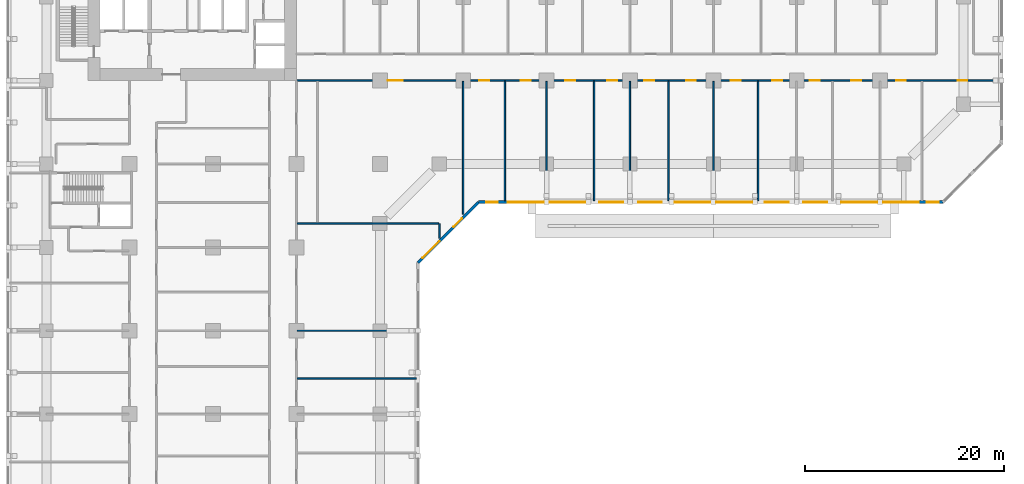
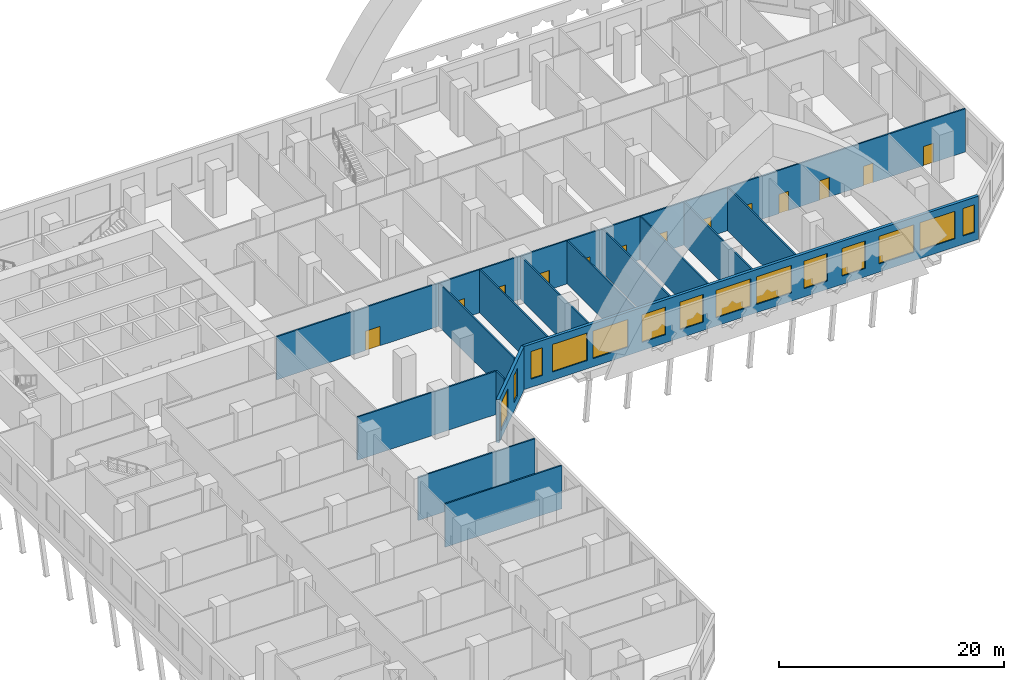
# One storey, part 9 of 25: 15 walls, 14 windows, 13 doors, 27 openings.
"""IFC4 building model written with IfcOpenShell, lengths in metres."""

from ifc_helpers import new_model, si_unit, direction, frame, frame_2d, origin, place, context, subcontext, project, spatial, rectangle, extrude, material, layer, layer_set, type_object, element, fill, save


model = new_model("IFC4")

# Units and contexts
model_context = context("Model", 3, precision=1e-05, world=origin(), true_north=direction((0.0, 1.0)))
body_context = subcontext(model_context, "Body", "Model", "MODEL_VIEW")
ifc_project = project(units=[si_unit("LENGTHUNIT", "METRE"), si_unit("AREAUNIT", "SQUARE_METRE"), si_unit("VOLUMEUNIT", "CUBIC_METRE"), si_unit("PLANEANGLEUNIT", "RADIAN"), si_unit("MASSUNIT", "GRAM", prefix="KILO")], contexts=[model_context])

# Site, building, storey
site_placement = place(None, origin())
site = spatial("IfcSite", under=ifc_project, at=site_placement, CompositionType="ELEMENT")
building_placement = place(site_placement, origin())
building = spatial("IfcBuilding", under=site, at=building_placement, Name="Kawkab Arch Medical Tower", CompositionType="ELEMENT")
storey_placement = place(building_placement, frame((0.0, 0.0, 29.0)))
storey = spatial("IfcBuildingStorey", under=building, at=storey_placement, Name="L06", CompositionType="ELEMENT", Elevation=29.0)

# Walls
ifc_material_1 = material(Name="Gypsum board partition on steel studs, mineral wool", Category="steel")
ifc_layer_1 = layer(ifc_material_1, 0.14990234375)
ifc_layer_set_1 = layer_set([ifc_layer_1], Name="Gypsum board partition on steel studs, mineral wool")
wall_type_1 = type_object("IfcWallType", Name="Partition 150", PredefinedType="PARTITIONING", material=ifc_layer_set_1)
for number, where, z_axis, x_axis, name in (
    (1, (25.27490234375, -55.199951171875, 0.0), (0.0, 0.0, 1.0), (1.0, 0.0, 0.0), "Partition 150 w023"),
    (2, (25.27490234375, -50.39990234375, 0.0), (0.0, 0.0, 1.0), (1.0, 0.0, 0.0), "Partition 150 w029"),
):
    element("IfcWall", number, at=place(storey_placement, frame(where, z_axis=z_axis, x_axis=x_axis)), inside=storey, type_object=wall_type_1, Name=name, PredefinedType="PARTITIONING", context=body_context, shape_type="SweptSolid", body=[
        extrude(rectangle(XDim=12.005126953125, YDim=0.14990234375, at=frame_2d((6.00244140625, 0.0))), origin(), (0.0, 0.0, 1.0), 4.699951171875),
    ])
wall_1_placement = place(storey_placement, frame((25.27490234375, -39.60009765625, 0.0), z_axis=(0.0, 0.0, 1.0), x_axis=(1.0, 0.0, 0.0)))
element("IfcWall", 3, at=wall_1_placement, inside=storey, type_object=wall_type_1, Name="Partition 150 w034", PredefinedType="PARTITIONING", context=body_context, shape_type="SweptSolid", body=[
    extrude(rectangle(XDim=14.248046875, YDim=0.14990234375, at=frame_2d((7.1240234375, 0.0))), origin(), (0.0, 0.0, 1.0), 4.699951171875),
])

# Wall, openings, doors
wall_2_placement = place(storey_placement, frame((25.27490234375, -25.199951171875, 0.0), z_axis=(0.0, 0.0, 1.0), x_axis=(1.0, 0.0, 0.0)))
wall_2 = element("IfcWall", 4, at=wall_2_placement, inside=storey, type_object=wall_type_1, Name="Partition 150 w043", PredefinedType="PARTITIONING", context=body_context, shape_type="SweptSolid", body=[
    extrude(rectangle(XDim=70.80517578125, YDim=0.14990234375, at=frame_2d((35.402587890625, 0.0))), origin(), (0.0, 0.0, 1.0), 4.699951171875),
])
opening_1_placement = place(wall_2_placement, frame((18.324951171875, 0.0, 0.0)))
opening_1 = element("IfcOpeningElement", 5, at=opening_1_placement, cuts=wall_2, Name="Opening P06-033", PredefinedType="OPENING", context=body_context, shape_type="SweptSolid", body=[
    extrude(rectangle(XDim=1.0, YDim=2.10009765625, at=frame_2d((0.5, 1.050048828125))), frame((0.0, 0.0849609375, 0.0), z_axis=(0.0, -1.0, 0.0), x_axis=(1.0, 0.0, 0.0)), (0.0, 0.0, 1.0), 0.169921875),
])
opening_2_placement = place(wall_2_placement, frame((22.52490234375, 0.0, 0.0)))
opening_2 = element("IfcOpeningElement", 6, at=opening_2_placement, cuts=wall_2, Name="Opening P06-034", PredefinedType="OPENING", context=body_context, shape_type="SweptSolid", body=[
    extrude(rectangle(XDim=1.0, YDim=2.10009765625, at=frame_2d((0.5, 1.050048828125))), frame((0.0, 0.0849609375, 0.0), z_axis=(0.0, -1.0, 0.0), x_axis=(1.0, 0.0, 0.0)), (0.0, 0.0, 1.0), 0.169921875),
])
opening_3_placement = place(wall_2_placement, frame((27.02490234375, 0.0, 0.0)))
opening_3 = element("IfcOpeningElement", 7, at=opening_3_placement, cuts=wall_2, Name="Opening P06-035", PredefinedType="OPENING", context=body_context, shape_type="SweptSolid", body=[
    extrude(rectangle(XDim=1.0, YDim=2.10009765625, at=frame_2d((0.5, 1.050048828125))), frame((0.0, 0.0849609375, 0.0), z_axis=(0.0, -1.0, 0.0), x_axis=(1.0, 0.0, 0.0)), (0.0, 0.0, 1.0), 0.169921875),
])
opening_4_placement = place(wall_2_placement, frame((31.22509765625, 0.0, 0.0)))
opening_4 = element("IfcOpeningElement", 8, at=opening_4_placement, cuts=wall_2, Name="Opening P06-036", PredefinedType="OPENING", context=body_context, shape_type="SweptSolid", body=[
    extrude(rectangle(XDim=1.0, YDim=2.10009765625, at=frame_2d((0.5, 1.050048828125))), frame((0.0, 0.0849609375, 0.0), z_axis=(0.0, -1.0, 0.0), x_axis=(1.0, 0.0, 0.0)), (0.0, 0.0, 1.0), 0.169921875),
])
opening_5_placement = place(wall_2_placement, frame((34.97509765625, 0.0, 0.0)))
opening_5 = element("IfcOpeningElement", 9, at=opening_5_placement, cuts=wall_2, Name="Opening P06-037", PredefinedType="OPENING", context=body_context, shape_type="SweptSolid", body=[
    extrude(rectangle(XDim=1.0, YDim=2.10009765625, at=frame_2d((0.5, 1.050048828125))), frame((0.0, 0.0849609375, 0.0), z_axis=(0.0, -1.0, 0.0), x_axis=(1.0, 0.0, 0.0)), (0.0, 0.0, 1.0), 0.169921875),
])
opening_6_placement = place(wall_2_placement, frame((39.175048828125, 0.0, 0.0)))
opening_6 = element("IfcOpeningElement", 10, at=opening_6_placement, cuts=wall_2, Name="Opening P06-038", PredefinedType="OPENING", context=body_context, shape_type="SweptSolid", body=[
    extrude(rectangle(XDim=1.0, YDim=2.10009765625, at=frame_2d((0.5, 1.050048828125))), frame((0.0, 0.0849609375, 0.0), z_axis=(0.0, -1.0, 0.0), x_axis=(1.0, 0.0, 0.0)), (0.0, 0.0, 1.0), 0.169921875),
])
opening_7_placement = place(wall_2_placement, frame((43.675048828125, 0.0, 0.0)))
opening_7 = element("IfcOpeningElement", 11, at=opening_7_placement, cuts=wall_2, Name="Opening P06-039", PredefinedType="OPENING", context=body_context, shape_type="SweptSolid", body=[
    extrude(rectangle(XDim=1.0, YDim=2.10009765625, at=frame_2d((0.5, 1.050048828125))), frame((0.0, 0.0849609375, 0.0), z_axis=(0.0, -1.0, 0.0), x_axis=(1.0, 0.0, 0.0)), (0.0, 0.0, 1.0), 0.169921875),
])
opening_8_placement = place(wall_2_placement, frame((47.875, 0.0, 0.0)))
opening_8 = element("IfcOpeningElement", 12, at=opening_8_placement, cuts=wall_2, Name="Opening P06-040", PredefinedType="OPENING", context=body_context, shape_type="SweptSolid", body=[
    extrude(rectangle(XDim=1.0, YDim=2.10009765625, at=frame_2d((0.5, 1.050048828125))), frame((0.0, 0.0849609375, 0.0), z_axis=(0.0, -1.0, 0.0), x_axis=(1.0, 0.0, 0.0)), (0.0, 0.0, 1.0), 0.169921875),
])
opening_9_placement = place(wall_2_placement, frame((51.625, 0.0, 0.0)))
opening_9 = element("IfcOpeningElement", 13, at=opening_9_placement, cuts=wall_2, Name="Opening P06-041", PredefinedType="OPENING", context=body_context, shape_type="SweptSolid", body=[
    extrude(rectangle(XDim=1.0, YDim=2.10009765625, at=frame_2d((0.5, 1.050048828125))), frame((0.0, 0.0849609375, 0.0), z_axis=(0.0, -1.0, 0.0), x_axis=(1.0, 0.0, 0.0)), (0.0, 0.0, 1.0), 0.169921875),
])
opening_10_placement = place(wall_2_placement, frame((55.824951171875, 0.0, 0.0)))
opening_10 = element("IfcOpeningElement", 14, at=opening_10_placement, cuts=wall_2, Name="Opening P06-042", PredefinedType="OPENING", context=body_context, shape_type="SweptSolid", body=[
    extrude(rectangle(XDim=1.0, YDim=2.10009765625, at=frame_2d((0.5, 1.050048828125))), frame((0.0, 0.0849609375, 0.0), z_axis=(0.0, -1.0, 0.0), x_axis=(1.0, 0.0, 0.0)), (0.0, 0.0, 1.0), 0.169921875),
])
opening_11_placement = place(wall_2_placement, frame((60.324951171875, 0.0, 0.0)))
opening_11 = element("IfcOpeningElement", 15, at=opening_11_placement, cuts=wall_2, Name="Opening P06-043", PredefinedType="OPENING", context=body_context, shape_type="SweptSolid", body=[
    extrude(rectangle(XDim=1.0, YDim=2.10009765625, at=frame_2d((0.5, 1.050048828125))), frame((0.0, 0.0849609375, 0.0), z_axis=(0.0, -1.0, 0.0), x_axis=(1.0, 0.0, 0.0)), (0.0, 0.0, 1.0), 0.169921875),
])
opening_12_placement = place(wall_2_placement, frame((66.52490234375, 0.0, 0.0)))
opening_12 = element("IfcOpeningElement", 16, at=opening_12_placement, cuts=wall_2, Name="Opening P06-044", PredefinedType="OPENING", context=body_context, shape_type="SweptSolid", body=[
    extrude(rectangle(XDim=1.0, YDim=2.10009765625, at=frame_2d((0.5, 1.050048828125))), frame((0.0, 0.0849609375, 0.0), z_axis=(0.0, -1.0, 0.0), x_axis=(1.0, 0.0, 0.0)), (0.0, 0.0, 1.0), 0.169921875),
])
opening_13_placement = place(wall_2_placement, frame((9.125, 0.0, 0.0)))
opening_13 = element("IfcOpeningElement", 17, at=opening_13_placement, cuts=wall_2, Name="Opening P06-016", PredefinedType="OPENING", context=body_context, shape_type="SweptSolid", body=[
    extrude(rectangle(XDim=1.5, YDim=2.10009765625, at=frame_2d((0.75, 1.050048828125))), frame((0.0, 0.0849609375, 0.0), z_axis=(0.0, -1.0, 0.0), x_axis=(1.0, 0.0, 0.0)), (0.0, 0.0, 1.0), 0.169921875),
])
ifc_material_2 = material(Name="Hollow metal door leaf")
door_type_1 = type_object("IfcDoorType", Name="Double door 1500x2100 FD30S", OperationType="NOTDEFINED", PredefinedType="DOOR", material=ifc_material_2)
door_1_placement = place(opening_13_placement, origin())
door_1 = element("IfcDoor", 18, at=door_1_placement, inside=storey, type_object=door_type_1, Name="Door P06-016", OperationType="DOUBLE_DOOR_SINGLE_SWING", OverallHeight=2.10009765625, OverallWidth=1.5, PredefinedType="DOOR", context=body_context, shape_type="SweptSolid", body=[
    extrude(rectangle(XDim=1.5, YDim=2.10009765625, at=frame_2d((0.75, 1.050048828125))), frame((0.0, 0.02490234375, 0.0), z_axis=(0.0, -1.0, 0.0), x_axis=(1.0, 0.0, 0.0)), (0.0, 0.0, 1.0), 0.050048828125),
])
fill(opening_13, door_1)
ifc_material_3 = material(Name="Hollow metal door leaf")
door_type_2 = type_object("IfcDoorType", Name="Single door 1000x2100 FD30S", OperationType="NOTDEFINED", PredefinedType="DOOR", material=ifc_material_3)
door_2_placement = place(opening_1_placement, origin())
door_2 = element("IfcDoor", 19, at=door_2_placement, inside=storey, type_object=door_type_2, Name="Door P06-033", OperationType="SINGLE_SWING_RIGHT", OverallHeight=2.10009765625, OverallWidth=1.0, PredefinedType="DOOR", context=body_context, shape_type="SweptSolid", body=[
    extrude(rectangle(XDim=1.0, YDim=2.10009765625, at=frame_2d((0.5, 1.050048828125))), frame((0.0, 0.02490234375, 0.0), z_axis=(0.0, -1.0, 0.0), x_axis=(1.0, 0.0, 0.0)), (0.0, 0.0, 1.0), 0.050048828125),
])
fill(opening_1, door_2)
door_3_placement = place(opening_2_placement, origin())
door_3 = element("IfcDoor", 20, at=door_3_placement, inside=storey, type_object=door_type_2, Name="Door P06-034", OperationType="SINGLE_SWING_RIGHT", OverallHeight=2.10009765625, OverallWidth=1.0, PredefinedType="DOOR", context=body_context, shape_type="SweptSolid", body=[
    extrude(rectangle(XDim=1.0, YDim=2.10009765625, at=frame_2d((0.5, 1.050048828125))), frame((0.0, 0.02490234375, 0.0), z_axis=(0.0, -1.0, 0.0), x_axis=(1.0, 0.0, 0.0)), (0.0, 0.0, 1.0), 0.050048828125),
])
fill(opening_2, door_3)
door_4_placement = place(opening_3_placement, origin())
door_4 = element("IfcDoor", 21, at=door_4_placement, inside=storey, type_object=door_type_2, Name="Door P06-035", OperationType="SINGLE_SWING_RIGHT", OverallHeight=2.10009765625, OverallWidth=1.0, PredefinedType="DOOR", context=body_context, shape_type="SweptSolid", body=[
    extrude(rectangle(XDim=1.0, YDim=2.10009765625, at=frame_2d((0.5, 1.050048828125))), frame((0.0, 0.02490234375, 0.0), z_axis=(0.0, -1.0, 0.0), x_axis=(1.0, 0.0, 0.0)), (0.0, 0.0, 1.0), 0.050048828125),
])
fill(opening_3, door_4)
door_5_placement = place(opening_4_placement, origin())
door_5 = element("IfcDoor", 22, at=door_5_placement, inside=storey, type_object=door_type_2, Name="Door P06-036", OperationType="SINGLE_SWING_RIGHT", OverallHeight=2.10009765625, OverallWidth=1.0, PredefinedType="DOOR", context=body_context, shape_type="SweptSolid", body=[
    extrude(rectangle(XDim=1.0, YDim=2.10009765625, at=frame_2d((0.5, 1.050048828125))), frame((0.0, 0.02490234375, 0.0), z_axis=(0.0, -1.0, 0.0), x_axis=(1.0, 0.0, 0.0)), (0.0, 0.0, 1.0), 0.050048828125),
])
fill(opening_4, door_5)
door_6_placement = place(opening_5_placement, origin())
door_6 = element("IfcDoor", 23, at=door_6_placement, inside=storey, type_object=door_type_2, Name="Door P06-037", OperationType="SINGLE_SWING_LEFT", OverallHeight=2.10009765625, OverallWidth=1.0, PredefinedType="DOOR", context=body_context, shape_type="SweptSolid", body=[
    extrude(rectangle(XDim=1.0, YDim=2.10009765625, at=frame_2d((0.5, 1.050048828125))), frame((0.0, 0.02490234375, 0.0), z_axis=(0.0, -1.0, 0.0), x_axis=(1.0, 0.0, 0.0)), (0.0, 0.0, 1.0), 0.050048828125),
])
fill(opening_5, door_6)
door_7_placement = place(opening_6_placement, origin())
door_7 = element("IfcDoor", 24, at=door_7_placement, inside=storey, type_object=door_type_2, Name="Door P06-038", OperationType="SINGLE_SWING_LEFT", OverallHeight=2.10009765625, OverallWidth=1.0, PredefinedType="DOOR", context=body_context, shape_type="SweptSolid", body=[
    extrude(rectangle(XDim=1.0, YDim=2.10009765625, at=frame_2d((0.5, 1.050048828125))), frame((0.0, 0.02490234375, 0.0), z_axis=(0.0, -1.0, 0.0), x_axis=(1.0, 0.0, 0.0)), (0.0, 0.0, 1.0), 0.050048828125),
])
fill(opening_6, door_7)
door_8_placement = place(opening_7_placement, origin())
door_8 = element("IfcDoor", 25, at=door_8_placement, inside=storey, type_object=door_type_2, Name="Door P06-039", OperationType="SINGLE_SWING_LEFT", OverallHeight=2.10009765625, OverallWidth=1.0, PredefinedType="DOOR", context=body_context, shape_type="SweptSolid", body=[
    extrude(rectangle(XDim=1.0, YDim=2.10009765625, at=frame_2d((0.5, 1.050048828125))), frame((0.0, 0.02490234375, 0.0), z_axis=(0.0, -1.0, 0.0), x_axis=(1.0, 0.0, 0.0)), (0.0, 0.0, 1.0), 0.050048828125),
])
fill(opening_7, door_8)
door_9_placement = place(opening_8_placement, origin())
door_9 = element("IfcDoor", 26, at=door_9_placement, inside=storey, type_object=door_type_2, Name="Door P06-040", OperationType="SINGLE_SWING_LEFT", OverallHeight=2.10009765625, OverallWidth=1.0, PredefinedType="DOOR", context=body_context, shape_type="SweptSolid", body=[
    extrude(rectangle(XDim=1.0, YDim=2.10009765625, at=frame_2d((0.5, 1.050048828125))), frame((0.0, 0.02490234375, 0.0), z_axis=(0.0, -1.0, 0.0), x_axis=(1.0, 0.0, 0.0)), (0.0, 0.0, 1.0), 0.050048828125),
])
fill(opening_8, door_9)
door_10_placement = place(opening_9_placement, origin())
door_10 = element("IfcDoor", 27, at=door_10_placement, inside=storey, type_object=door_type_2, Name="Door P06-041", OperationType="SINGLE_SWING_LEFT", OverallHeight=2.10009765625, OverallWidth=1.0, PredefinedType="DOOR", context=body_context, shape_type="SweptSolid", body=[
    extrude(rectangle(XDim=1.0, YDim=2.10009765625, at=frame_2d((0.5, 1.050048828125))), frame((0.0, 0.02490234375, 0.0), z_axis=(0.0, -1.0, 0.0), x_axis=(1.0, 0.0, 0.0)), (0.0, 0.0, 1.0), 0.050048828125),
])
fill(opening_9, door_10)
door_11_placement = place(opening_10_placement, origin())
door_11 = element("IfcDoor", 28, at=door_11_placement, inside=storey, type_object=door_type_2, Name="Door P06-042", OperationType="SINGLE_SWING_LEFT", OverallHeight=2.10009765625, OverallWidth=1.0, PredefinedType="DOOR", context=body_context, shape_type="SweptSolid", body=[
    extrude(rectangle(XDim=1.0, YDim=2.10009765625, at=frame_2d((0.5, 1.050048828125))), frame((0.0, 0.02490234375, 0.0), z_axis=(0.0, -1.0, 0.0), x_axis=(1.0, 0.0, 0.0)), (0.0, 0.0, 1.0), 0.050048828125),
])
fill(opening_10, door_11)
door_12_placement = place(opening_11_placement, origin())
door_12 = element("IfcDoor", 29, at=door_12_placement, inside=storey, type_object=door_type_2, Name="Door P06-043", OperationType="SINGLE_SWING_LEFT", OverallHeight=2.10009765625, OverallWidth=1.0, PredefinedType="DOOR", context=body_context, shape_type="SweptSolid", body=[
    extrude(rectangle(XDim=1.0, YDim=2.10009765625, at=frame_2d((0.5, 1.050048828125))), frame((0.0, 0.02490234375, 0.0), z_axis=(0.0, -1.0, 0.0), x_axis=(1.0, 0.0, 0.0)), (0.0, 0.0, 1.0), 0.050048828125),
])
fill(opening_11, door_12)
door_13_placement = place(opening_12_placement, origin())
door_13 = element("IfcDoor", 30, at=door_13_placement, inside=storey, type_object=door_type_2, Name="Door P06-044", OperationType="SINGLE_SWING_LEFT", OverallHeight=2.10009765625, OverallWidth=1.0, PredefinedType="DOOR", context=body_context, shape_type="SweptSolid", body=[
    extrude(rectangle(XDim=1.0, YDim=2.10009765625, at=frame_2d((0.5, 1.050048828125))), frame((0.0, 0.02490234375, 0.0), z_axis=(0.0, -1.0, 0.0), x_axis=(1.0, 0.0, 0.0)), (0.0, 0.0, 1.0), 0.050048828125),
])
fill(opening_12, door_13)

# Walls
wall_3_placement = place(storey_placement, frame((39.60009765625, -41.0869140625, 0.0), z_axis=(0.0, 0.0, 1.0), x_axis=(0.0, 1.0, 0.0)))
element("IfcWall", 31, at=wall_3_placement, inside=storey, type_object=wall_type_1, Name="Partition 150 w080", PredefinedType="PARTITIONING", context=body_context, shape_type="SweptSolid", body=[
    extrude(rectangle(XDim=1.48486328125, YDim=0.14990234375, at=frame_2d((0.742431640625, 0.0))), origin(), (0.0, 0.0, 1.0), 4.699951171875),
])
wall_4_placement = place(storey_placement, frame((42.0, -38.68701171875, 0.0), z_axis=(0.0, 0.0, 1.0), x_axis=(0.0, 1.0, 0.0)))
element("IfcWall", 32, at=wall_4_placement, inside=storey, type_object=wall_type_1, Name="Partition 150 w082", PredefinedType="PARTITIONING", context=body_context, shape_type="SweptSolid", body=[
    extrude(rectangle(XDim=13.412109375, YDim=0.14990234375, at=frame_2d((6.7060546875, 0.0))), origin(), (0.0, 0.0, 1.0), 4.699951171875),
])
for number, where, z_axis, x_axis, name in (
    (33, (46.199951171875, -37.280029296875, 0.0), (0.0, 0.0, 1.0), (0.0, 1.0, 0.0), "Partition 150 w086"),
    (34, (50.39990234375, -37.280029296875, 0.0), (0.0, 0.0, 1.0), (0.0, 1.0, 0.0), "Partition 150 w088"),
    (35, (55.199951171875, -37.280029296875, 0.0), (0.0, 0.0, 1.0), (0.0, 1.0, 0.0), "Partition 150 w094"),
    (36, (58.800048828125, -37.280029296875, 0.0), (0.0, 0.0, 1.0), (0.0, 1.0, 0.0), "Partition 150 w095"),
    (37, (62.699951171875, -37.280029296875, 0.0), (0.0, 0.0, 1.0), (0.0, 1.0, 0.0), "Partition 150 w099"),
    (38, (67.199951171875, -37.280029296875, 0.0), (0.0, 0.0, 1.0), (0.0, 1.0, 0.0), "Partition 150 w101"),
    (39, (71.699951171875, -37.280029296875, 0.0), (0.0, 0.0, 1.0), (0.0, 1.0, 0.0), "Partition 150 w106"),
):
    element("IfcWall", number, at=place(storey_placement, frame(where, z_axis=z_axis, x_axis=x_axis)), inside=storey, type_object=wall_type_1, Name=name, PredefinedType="PARTITIONING", context=body_context, shape_type="SweptSolid", body=[
        extrude(rectangle(XDim=12.005126953125, YDim=0.14990234375, at=frame_2d((6.00244140625, 0.0))), origin(), (0.0, 0.0, 1.0), 4.699951171875),
    ])

# Wall, openings, windows
ifc_material_4 = material(Name="Bronze clad insulated wall panel")
ifc_layer_2 = layer(ifc_material_4, 0.300048828125)
ifc_layer_set_2 = layer_set([ifc_layer_2], Name="Bronze clad insulated wall panel")
wall_type_2 = type_object("IfcWallType", Name="Podium external wall 300", PredefinedType="SOLIDWALL", material=ifc_layer_set_2)
wall_5_placement = place(storey_placement, frame((37.449951171875, -43.537841796875, 0.0), z_axis=(0.0, 0.0, 1.0), x_axis=(0.707106781187, 0.707106781187, 0.0)))
wall_5 = element("IfcWall", 40, at=wall_5_placement, inside=storey, type_object=wall_type_2, Name="Podium external wall L06 R06", PredefinedType="SOLIDWALL", context=body_context, shape_type="SweptSolid", body=[
    extrude(rectangle(XDim=8.609619140625, YDim=0.300048828125, at=frame_2d((4.3046875, 0.0))), origin(), (0.0, 0.0, 1.0), 4.699951171875),
])
opening_14_placement = place(wall_5_placement, frame((0.651123046875, 0.0, 0.89990234375)))
opening_14 = element("IfcOpeningElement", 41, at=opening_14_placement, cuts=wall_5, Name="Opening PBW240-30-S9", PredefinedType="OPENING", context=body_context, shape_type="SweptSolid", body=[
    extrude(rectangle(XDim=2.39990234375, YDim=3.0, at=frame_2d((1.199951171875, 1.5))), frame((0.0, 0.159912109375, 0.0), z_axis=(0.0, -1.0, 0.0), x_axis=(1.0, 0.0, 0.0)), (0.0, 0.0, 1.0), 0.320068359375),
])
opening_15_placement = place(wall_5_placement, frame((5.06982421875, 0.0, 0.89990234375)))
opening_15 = element("IfcOpeningElement", 42, at=opening_15_placement, cuts=wall_5, Name="Opening PBW120-30-S9", PredefinedType="OPENING", context=body_context, shape_type="SweptSolid", body=[
    extrude(rectangle(XDim=1.199951171875, YDim=3.0, at=frame_2d((0.60009765625, 1.5))), frame((0.0, 0.159912109375, 0.0), z_axis=(0.0, -1.0, 0.0), x_axis=(1.0, 0.0, 0.0)), (0.0, 0.0, 1.0), 0.320068359375),
])
ifc_material_5 = material(Name="Bronze anodised aluminium louvred window", Category="aluminium")
window_type_1 = type_object("IfcWindowType", Name="Podium band window 1200 x 3000 sill 900", PartitioningType="DOUBLE_PANEL_VERTICAL", PredefinedType="WINDOW", material=ifc_material_5)
window_1_placement = place(opening_15_placement, origin())
window_1 = element("IfcWindow", 43, at=window_1_placement, inside=storey, type_object=window_type_1, Name="Band window L06 R06.2", OverallHeight=3.0, OverallWidth=1.199951171875, PartitioningType="SINGLE_PANEL", PredefinedType="WINDOW", context=body_context, shape_type="SweptSolid", body=[
    extrude(rectangle(XDim=1.199951171875, YDim=3.0, at=frame_2d((0.60009765625, 1.5))), frame((0.0, 0.030029296875, 0.0), z_axis=(0.0, -1.0, 0.0), x_axis=(1.0, 0.0, 0.0)), (0.0, 0.0, 1.0), 0.06005859375),
])
fill(opening_15, window_1)
ifc_material_6 = material(Name="Bronze anodised aluminium louvred window", Category="aluminium")
window_type_2 = type_object("IfcWindowType", Name="Podium band window 2400 x 3000 sill 900", PartitioningType="DOUBLE_PANEL_VERTICAL", PredefinedType="WINDOW", material=ifc_material_6)
window_2_placement = place(opening_14_placement, origin())
window_2 = element("IfcWindow", 44, at=window_2_placement, inside=storey, type_object=window_type_2, Name="Band window L06 R06.1", OverallHeight=3.0, OverallWidth=2.39990234375, PartitioningType="SINGLE_PANEL", PredefinedType="WINDOW", context=body_context, shape_type="SweptSolid", body=[
    extrude(rectangle(XDim=2.39990234375, YDim=3.0, at=frame_2d((1.199951171875, 1.5))), frame((0.0, 0.030029296875, 0.0), z_axis=(0.0, -1.0, 0.0), x_axis=(1.0, 0.0, 0.0)), (0.0, 0.0, 1.0), 0.06005859375),
])
fill(opening_14, window_2)

wall_6_placement = place(storey_placement, frame((43.537841796875, -37.449951171875, 0.0), z_axis=(0.0, 0.0, 1.0), x_axis=(1.0, 0.0, 0.0)))
wall_6 = element("IfcWall", 45, at=wall_6_placement, inside=storey, type_object=wall_type_2, Name="Podium external wall L06 R07", PredefinedType="SOLIDWALL", context=body_context, shape_type="SweptSolid", body=[
    extrude(rectangle(XDim=46.800048828125, YDim=0.300048828125, at=frame_2d((23.39990234375, 0.0))), origin(), (0.0, 0.0, 1.0), 4.699951171875),
])
opening_16_placement = place(wall_6_placement, frame((0.76220703125, 0.0, 0.89990234375)))
opening_16 = element("IfcOpeningElement", 46, at=opening_16_placement, cuts=wall_6, Name="Opening PBW120-30-S9", PredefinedType="OPENING", context=body_context, shape_type="SweptSolid", body=[
    extrude(rectangle(XDim=1.199951171875, YDim=3.0, at=frame_2d((0.60009765625, 1.5))), frame((0.0, 0.159912109375, 0.0), z_axis=(0.0, -1.0, 0.0), x_axis=(1.0, 0.0, 0.0)), (0.0, 0.0, 1.0), 0.320068359375),
])
opening_17_placement = place(wall_6_placement, frame((2.962158203125, 0.0, 0.89990234375)))
opening_17 = element("IfcOpeningElement", 47, at=opening_17_placement, cuts=wall_6, Name="Opening PBW360-30-S9", PredefinedType="OPENING", context=body_context, shape_type="SweptSolid", body=[
    extrude(rectangle(XDim=3.60009765625, YDim=3.0, at=frame_2d((1.800048828125, 1.5))), frame((0.0, 0.159912109375, 0.0), z_axis=(0.0, -1.0, 0.0), x_axis=(1.0, 0.0, 0.0)), (0.0, 0.0, 1.0), 0.320068359375),
])
opening_18_placement = place(wall_6_placement, frame((7.162109375, 0.0, 0.89990234375)))
opening_18 = element("IfcOpeningElement", 48, at=opening_18_placement, cuts=wall_6, Name="Opening PBW360-30-S9", PredefinedType="OPENING", context=body_context, shape_type="SweptSolid", body=[
    extrude(rectangle(XDim=3.60009765625, YDim=3.0, at=frame_2d((1.800048828125, 1.5))), frame((0.0, 0.159912109375, 0.0), z_axis=(0.0, -1.0, 0.0), x_axis=(1.0, 0.0, 0.0)), (0.0, 0.0, 1.0), 0.320068359375),
])
opening_19_placement = place(wall_6_placement, frame((12.18701171875, 0.0, 0.89990234375)))
opening_19 = element("IfcOpeningElement", 49, at=opening_19_placement, cuts=wall_6, Name="Opening PBW240-30-S9", PredefinedType="OPENING", context=body_context, shape_type="SweptSolid", body=[
    extrude(rectangle(XDim=2.39990234375, YDim=3.0, at=frame_2d((1.199951171875, 1.5))), frame((0.0, 0.159912109375, 0.0), z_axis=(0.0, -1.0, 0.0), x_axis=(1.0, 0.0, 0.0)), (0.0, 0.0, 1.0), 0.320068359375),
])
opening_20_placement = place(wall_6_placement, frame((16.087158203125, 0.0, 0.89990234375)))
opening_20 = element("IfcOpeningElement", 50, at=opening_20_placement, cuts=wall_6, Name="Opening PBW240-30-S9", PredefinedType="OPENING", context=body_context, shape_type="SweptSolid", body=[
    extrude(rectangle(XDim=2.39990234375, YDim=3.0, at=frame_2d((1.199951171875, 1.5))), frame((0.0, 0.159912109375, 0.0), z_axis=(0.0, -1.0, 0.0), x_axis=(1.0, 0.0, 0.0)), (0.0, 0.0, 1.0), 0.320068359375),
])
opening_21_placement = place(wall_6_placement, frame((19.76220703125, 0.0, 0.89990234375)))
opening_21 = element("IfcOpeningElement", 51, at=opening_21_placement, cuts=wall_6, Name="Opening PBW360-30-S9", PredefinedType="OPENING", context=body_context, shape_type="SweptSolid", body=[
    extrude(rectangle(XDim=3.60009765625, YDim=3.0, at=frame_2d((1.800048828125, 1.5))), frame((0.0, 0.159912109375, 0.0), z_axis=(0.0, -1.0, 0.0), x_axis=(1.0, 0.0, 0.0)), (0.0, 0.0, 1.0), 0.320068359375),
])
opening_22_placement = place(wall_6_placement, frame((23.962158203125, 0.0, 0.89990234375)))
opening_22 = element("IfcOpeningElement", 52, at=opening_22_placement, cuts=wall_6, Name="Opening PBW360-30-S9", PredefinedType="OPENING", context=body_context, shape_type="SweptSolid", body=[
    extrude(rectangle(XDim=3.60009765625, YDim=3.0, at=frame_2d((1.800048828125, 1.5))), frame((0.0, 0.159912109375, 0.0), z_axis=(0.0, -1.0, 0.0), x_axis=(1.0, 0.0, 0.0)), (0.0, 0.0, 1.0), 0.320068359375),
])
opening_23_placement = place(wall_6_placement, frame((28.837158203125, 0.0, 0.89990234375)))
opening_23 = element("IfcOpeningElement", 53, at=opening_23_placement, cuts=wall_6, Name="Opening PBW240-30-S9", PredefinedType="OPENING", context=body_context, shape_type="SweptSolid", body=[
    extrude(rectangle(XDim=2.39990234375, YDim=3.0, at=frame_2d((1.199951171875, 1.5))), frame((0.0, 0.159912109375, 0.0), z_axis=(0.0, -1.0, 0.0), x_axis=(1.0, 0.0, 0.0)), (0.0, 0.0, 1.0), 0.320068359375),
])
opening_24_placement = place(wall_6_placement, frame((32.737060546875, 0.0, 0.89990234375)))
opening_24 = element("IfcOpeningElement", 54, at=opening_24_placement, cuts=wall_6, Name="Opening PBW240-30-S9", PredefinedType="OPENING", context=body_context, shape_type="SweptSolid", body=[
    extrude(rectangle(XDim=2.39990234375, YDim=3.0, at=frame_2d((1.199951171875, 1.5))), frame((0.0, 0.159912109375, 0.0), z_axis=(0.0, -1.0, 0.0), x_axis=(1.0, 0.0, 0.0)), (0.0, 0.0, 1.0), 0.320068359375),
])
opening_25_placement = place(wall_6_placement, frame((36.56201171875, 0.0, 0.89990234375)))
opening_25 = element("IfcOpeningElement", 55, at=opening_25_placement, cuts=wall_6, Name="Opening PBW360-30-S9", PredefinedType="OPENING", context=body_context, shape_type="SweptSolid", body=[
    extrude(rectangle(XDim=3.60009765625, YDim=3.0, at=frame_2d((1.800048828125, 1.5))), frame((0.0, 0.159912109375, 0.0), z_axis=(0.0, -1.0, 0.0), x_axis=(1.0, 0.0, 0.0)), (0.0, 0.0, 1.0), 0.320068359375),
])
opening_26_placement = place(wall_6_placement, frame((40.76220703125, 0.0, 0.89990234375)))
opening_26 = element("IfcOpeningElement", 56, at=opening_26_placement, cuts=wall_6, Name="Opening PBW360-30-S9", PredefinedType="OPENING", context=body_context, shape_type="SweptSolid", body=[
    extrude(rectangle(XDim=3.60009765625, YDim=3.0, at=frame_2d((1.800048828125, 1.5))), frame((0.0, 0.159912109375, 0.0), z_axis=(0.0, -1.0, 0.0), x_axis=(1.0, 0.0, 0.0)), (0.0, 0.0, 1.0), 0.320068359375),
])
opening_27_placement = place(wall_6_placement, frame((45.162109375, 0.0, 0.89990234375)))
opening_27 = element("IfcOpeningElement", 57, at=opening_27_placement, cuts=wall_6, Name="Opening PBW120-30-S9", PredefinedType="OPENING", context=body_context, shape_type="SweptSolid", body=[
    extrude(rectangle(XDim=1.199951171875, YDim=3.0, at=frame_2d((0.60009765625, 1.5))), frame((0.0, 0.159912109375, 0.0), z_axis=(0.0, -1.0, 0.0), x_axis=(1.0, 0.0, 0.0)), (0.0, 0.0, 1.0), 0.320068359375),
])
window_3_placement = place(opening_16_placement, origin())
window_3 = element("IfcWindow", 58, at=window_3_placement, inside=storey, type_object=window_type_1, Name="Band window L06 R07.1", OverallHeight=3.0, OverallWidth=1.199951171875, PartitioningType="SINGLE_PANEL", PredefinedType="WINDOW", context=body_context, shape_type="SweptSolid", body=[
    extrude(rectangle(XDim=1.199951171875, YDim=3.0, at=frame_2d((0.60009765625, 1.5))), frame((0.0, 0.030029296875, 0.0), z_axis=(0.0, -1.0, 0.0), x_axis=(1.0, 0.0, 0.0)), (0.0, 0.0, 1.0), 0.06005859375),
])
fill(opening_16, window_3)
window_4_placement = place(opening_27_placement, origin())
window_4 = element("IfcWindow", 59, at=window_4_placement, inside=storey, type_object=window_type_1, Name="Band window L06 R07.12", OverallHeight=3.0, OverallWidth=1.199951171875, PartitioningType="SINGLE_PANEL", PredefinedType="WINDOW", context=body_context, shape_type="SweptSolid", body=[
    extrude(rectangle(XDim=1.199951171875, YDim=3.0, at=frame_2d((0.60009765625, 1.5))), frame((0.0, 0.030029296875, 0.0), z_axis=(0.0, -1.0, 0.0), x_axis=(1.0, 0.0, 0.0)), (0.0, 0.0, 1.0), 0.06005859375),
])
fill(opening_27, window_4)
window_5_placement = place(opening_19_placement, origin())
window_5 = element("IfcWindow", 60, at=window_5_placement, inside=storey, type_object=window_type_2, Name="Band window L06 R07.4", OverallHeight=3.0, OverallWidth=2.39990234375, PartitioningType="SINGLE_PANEL", PredefinedType="WINDOW", context=body_context, shape_type="SweptSolid", body=[
    extrude(rectangle(XDim=2.39990234375, YDim=3.0, at=frame_2d((1.199951171875, 1.5))), frame((0.0, 0.030029296875, 0.0), z_axis=(0.0, -1.0, 0.0), x_axis=(1.0, 0.0, 0.0)), (0.0, 0.0, 1.0), 0.06005859375),
])
fill(opening_19, window_5)
window_6_placement = place(opening_20_placement, origin())
window_6 = element("IfcWindow", 61, at=window_6_placement, inside=storey, type_object=window_type_2, Name="Band window L06 R07.5", OverallHeight=3.0, OverallWidth=2.39990234375, PartitioningType="SINGLE_PANEL", PredefinedType="WINDOW", context=body_context, shape_type="SweptSolid", body=[
    extrude(rectangle(XDim=2.39990234375, YDim=3.0, at=frame_2d((1.199951171875, 1.5))), frame((0.0, 0.030029296875, 0.0), z_axis=(0.0, -1.0, 0.0), x_axis=(1.0, 0.0, 0.0)), (0.0, 0.0, 1.0), 0.06005859375),
])
fill(opening_20, window_6)
window_7_placement = place(opening_23_placement, origin())
window_7 = element("IfcWindow", 62, at=window_7_placement, inside=storey, type_object=window_type_2, Name="Band window L06 R07.8", OverallHeight=3.0, OverallWidth=2.39990234375, PartitioningType="SINGLE_PANEL", PredefinedType="WINDOW", context=body_context, shape_type="SweptSolid", body=[
    extrude(rectangle(XDim=2.39990234375, YDim=3.0, at=frame_2d((1.199951171875, 1.5))), frame((0.0, 0.030029296875, 0.0), z_axis=(0.0, -1.0, 0.0), x_axis=(1.0, 0.0, 0.0)), (0.0, 0.0, 1.0), 0.06005859375),
])
fill(opening_23, window_7)
window_8_placement = place(opening_24_placement, origin())
window_8 = element("IfcWindow", 63, at=window_8_placement, inside=storey, type_object=window_type_2, Name="Band window L06 R07.9", OverallHeight=3.0, OverallWidth=2.39990234375, PartitioningType="SINGLE_PANEL", PredefinedType="WINDOW", context=body_context, shape_type="SweptSolid", body=[
    extrude(rectangle(XDim=2.39990234375, YDim=3.0, at=frame_2d((1.199951171875, 1.5))), frame((0.0, 0.030029296875, 0.0), z_axis=(0.0, -1.0, 0.0), x_axis=(1.0, 0.0, 0.0)), (0.0, 0.0, 1.0), 0.06005859375),
])
fill(opening_24, window_8)
ifc_material_7 = material(Name="Bronze anodised aluminium louvred window", Category="aluminium")
window_type_3 = type_object("IfcWindowType", Name="Podium band window 3600 x 3000 sill 900", PartitioningType="DOUBLE_PANEL_VERTICAL", PredefinedType="WINDOW", material=ifc_material_7)
window_9_placement = place(opening_17_placement, origin())
window_9 = element("IfcWindow", 64, at=window_9_placement, inside=storey, type_object=window_type_3, Name="Band window L06 R07.2", OverallHeight=3.0, OverallWidth=3.60009765625, PartitioningType="SINGLE_PANEL", PredefinedType="WINDOW", context=body_context, shape_type="SweptSolid", body=[
    extrude(rectangle(XDim=3.60009765625, YDim=3.0, at=frame_2d((1.800048828125, 1.5))), frame((0.0, 0.030029296875, 0.0), z_axis=(0.0, -1.0, 0.0), x_axis=(1.0, 0.0, 0.0)), (0.0, 0.0, 1.0), 0.06005859375),
])
fill(opening_17, window_9)
window_10_placement = place(opening_18_placement, origin())
window_10 = element("IfcWindow", 65, at=window_10_placement, inside=storey, type_object=window_type_3, Name="Band window L06 R07.3", OverallHeight=3.0, OverallWidth=3.60009765625, PartitioningType="SINGLE_PANEL", PredefinedType="WINDOW", context=body_context, shape_type="SweptSolid", body=[
    extrude(rectangle(XDim=3.60009765625, YDim=3.0, at=frame_2d((1.800048828125, 1.5))), frame((0.0, 0.030029296875, 0.0), z_axis=(0.0, -1.0, 0.0), x_axis=(1.0, 0.0, 0.0)), (0.0, 0.0, 1.0), 0.06005859375),
])
fill(opening_18, window_10)
window_11_placement = place(opening_21_placement, origin())
window_11 = element("IfcWindow", 66, at=window_11_placement, inside=storey, type_object=window_type_3, Name="Band window L06 R07.6", OverallHeight=3.0, OverallWidth=3.60009765625, PartitioningType="SINGLE_PANEL", PredefinedType="WINDOW", context=body_context, shape_type="SweptSolid", body=[
    extrude(rectangle(XDim=3.60009765625, YDim=3.0, at=frame_2d((1.800048828125, 1.5))), frame((0.0, 0.030029296875, 0.0), z_axis=(0.0, -1.0, 0.0), x_axis=(1.0, 0.0, 0.0)), (0.0, 0.0, 1.0), 0.06005859375),
])
fill(opening_21, window_11)
window_12_placement = place(opening_22_placement, origin())
window_12 = element("IfcWindow", 67, at=window_12_placement, inside=storey, type_object=window_type_3, Name="Band window L06 R07.7", OverallHeight=3.0, OverallWidth=3.60009765625, PartitioningType="SINGLE_PANEL", PredefinedType="WINDOW", context=body_context, shape_type="SweptSolid", body=[
    extrude(rectangle(XDim=3.60009765625, YDim=3.0, at=frame_2d((1.800048828125, 1.5))), frame((0.0, 0.030029296875, 0.0), z_axis=(0.0, -1.0, 0.0), x_axis=(1.0, 0.0, 0.0)), (0.0, 0.0, 1.0), 0.06005859375),
])
fill(opening_22, window_12)
window_13_placement = place(opening_25_placement, origin())
window_13 = element("IfcWindow", 68, at=window_13_placement, inside=storey, type_object=window_type_3, Name="Band window L06 R07.10", OverallHeight=3.0, OverallWidth=3.60009765625, PartitioningType="SINGLE_PANEL", PredefinedType="WINDOW", context=body_context, shape_type="SweptSolid", body=[
    extrude(rectangle(XDim=3.60009765625, YDim=3.0, at=frame_2d((1.800048828125, 1.5))), frame((0.0, 0.030029296875, 0.0), z_axis=(0.0, -1.0, 0.0), x_axis=(1.0, 0.0, 0.0)), (0.0, 0.0, 1.0), 0.06005859375),
])
fill(opening_25, window_13)
window_14_placement = place(opening_26_placement, origin())
window_14 = element("IfcWindow", 69, at=window_14_placement, inside=storey, type_object=window_type_3, Name="Band window L06 R07.11", OverallHeight=3.0, OverallWidth=3.60009765625, PartitioningType="SINGLE_PANEL", PredefinedType="WINDOW", context=body_context, shape_type="SweptSolid", body=[
    extrude(rectangle(XDim=3.60009765625, YDim=3.0, at=frame_2d((1.800048828125, 1.5))), frame((0.0, 0.030029296875, 0.0), z_axis=(0.0, -1.0, 0.0), x_axis=(1.0, 0.0, 0.0)), (0.0, 0.0, 1.0), 0.06005859375),
])
fill(opening_26, window_14)

save(model, "model.ifc")
